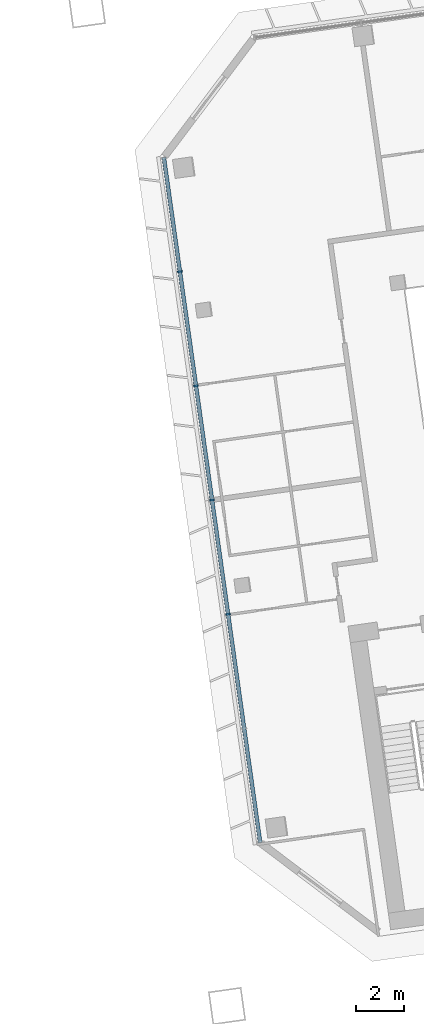
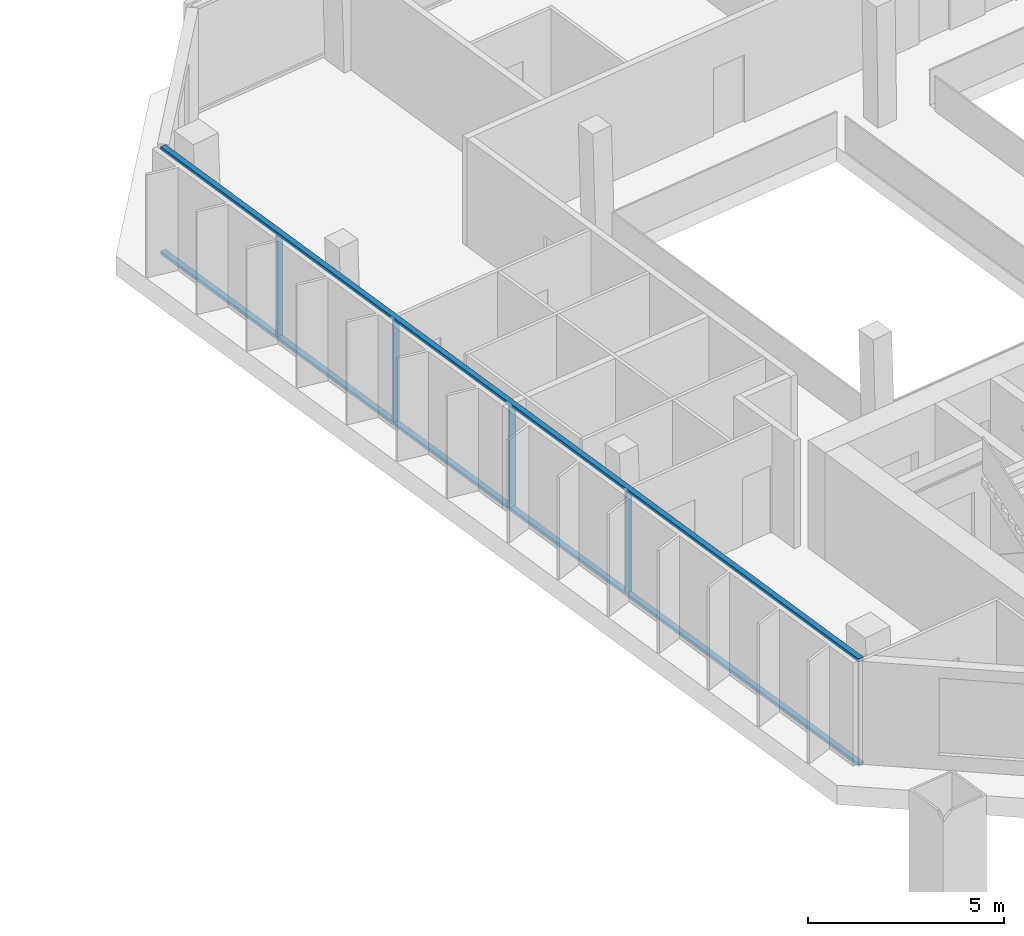
# One storey, part 7 of 26: 6 members, 1 element without a shape of its own.
"""IFC4 building model written with IfcOpenShell, lengths in metres."""

from ifc_helpers import new_model, si_unit, direction, frame, origin, origin_2d, place, context, subcontext, project, spatial, rectangle, extrude, material, material_profile, profile_set, type_object, element, aggregate, save


model = new_model("IFC4")

# Units and contexts
model_context = context("Model", 3, precision=1e-05, world=origin(), true_north=direction((0.0, 1.0)))
body_context = subcontext(model_context, "Body", "Model", "MODEL_VIEW")
ifc_project = project(units=[si_unit("LENGTHUNIT", "METRE"), si_unit("AREAUNIT", "SQUARE_METRE"), si_unit("VOLUMEUNIT", "CUBIC_METRE"), si_unit("PLANEANGLEUNIT", "RADIAN"), si_unit("MASSUNIT", "GRAM", prefix="KILO")], contexts=[model_context])

# Site, building, storey
site_placement = place(None, origin())
site = spatial("IfcSite", under=ifc_project, at=site_placement, CompositionType="ELEMENT")
building_placement = place(site_placement, origin())
building = spatial("IfcBuilding", under=site, at=building_placement, Name="Mirante Cascada Hotel Towers", CompositionType="ELEMENT")
storey_placement = place(building_placement, frame((0.0, 0.0, 168.8)))
storey = spatial("IfcBuildingStorey", under=building, at=storey_placement, Name="L39", CompositionType="ELEMENT", Elevation=168.8)

# Curtain wall, members
ifc_material_1 = material(Name="Aluminium mullion and transom frame with clear laminated glass", Category="aluminium")
curtain_wall_type = type_object("IfcCurtainWallType", Name="End ribbon curtain wall ECW2", PredefinedType="NOTDEFINED", material=ifc_material_1)
curtain_wall_placement = place(storey_placement, origin())
curtain_wall = element("IfcCurtainWall", 1, at=curtain_wall_placement, inside=storey, type_object=curtain_wall_type, Name="Inner end wall T2 L39", PredefinedType="NOTDEFINED")
ifc_material_2 = material(Name="Anodised aluminium extrusion", Category="aluminium")
ifc_material_profile_1 = material_profile(ifc_material_2, rectangle(XDim=0.2, YDim=0.065, at=origin_2d()), Name="ECW2 MULLION 65x200")
ifc_profile_set_1 = profile_set([ifc_material_profile_1], Name="Anodised aluminium extrusion")
member_type_1 = type_object("IfcMemberType", Name="ECW2 mullion 65x200", PredefinedType="MULLION", material=ifc_profile_set_1)
member_1_placement = place(storey_placement, frame((28.4746, 7.5055, 0.1), z_axis=(0.0, 0.0, 1.0), x_axis=(0.9902681, 0.1391731, 0.0)))
member_1 = element("IfcMember", 2, at=member_1_placement, type_object=member_type_1, Name="ECW2 mullion 2", PredefinedType="MULLION", context=body_context, shape_type="SweptSolid", body=[
    extrude(rectangle(XDim=0.2, YDim=0.065, at=origin_2d()), origin(), (0.0, 0.0, 1.0), 3.15),
])
member_2_placement = place(storey_placement, frame((29.1444, 2.7397, 0.1), z_axis=(0.0, 0.0, 1.0), x_axis=(0.9902681, 0.1391731, 0.0)))
member_2 = element("IfcMember", 3, at=member_2_placement, type_object=member_type_1, Name="ECW2 mullion 3", PredefinedType="MULLION", context=body_context, shape_type="SweptSolid", body=[
    extrude(rectangle(XDim=0.2, YDim=0.065, at=origin_2d()), origin(), (0.0, 0.0, 1.0), 3.15),
])
member_3_placement = place(storey_placement, frame((29.8142, -2.0261, 0.1), z_axis=(0.0, 0.0, 1.0), x_axis=(0.9902681, 0.1391731, 0.0)))
member_3 = element("IfcMember", 4, at=member_3_placement, type_object=member_type_1, Name="ECW2 mullion 4", PredefinedType="MULLION", context=body_context, shape_type="SweptSolid", body=[
    extrude(rectangle(XDim=0.2, YDim=0.065, at=origin_2d()), origin(), (0.0, 0.0, 1.0), 3.15),
])
member_4_placement = place(storey_placement, frame((30.4839, -6.7919, 0.1), z_axis=(0.0, 0.0, 1.0), x_axis=(0.9902681, 0.1391731, 0.0)))
member_4 = element("IfcMember", 5, at=member_4_placement, type_object=member_type_1, Name="ECW2 mullion 5", PredefinedType="MULLION", context=body_context, shape_type="SweptSolid", body=[
    extrude(rectangle(XDim=0.2, YDim=0.065, at=origin_2d()), origin(), (0.0, 0.0, 1.0), 3.15),
])
ifc_material_3 = material(Name="Anodised aluminium extrusion", Category="aluminium")
ifc_material_profile_2 = material_profile(ifc_material_3, rectangle(XDim=0.16, YDim=0.1, at=origin_2d()), Name="ECW2 TRANSOM 100x160")
ifc_profile_set_2 = profile_set([ifc_material_profile_2], Name="Anodised aluminium extrusion")
member_type_2 = type_object("IfcMemberType", Name="ECW2 transom 100x160", PredefinedType="USERDEFINED", material=ifc_profile_set_2)
member_5_placement = place(storey_placement, frame((27.8048, 12.2712, 0.05), z_axis=(0.1391723, -0.9902682, 0.0), x_axis=(0.9902682, 0.1391723, 0.0)))
member_5 = element("IfcMember", 6, at=member_5_placement, type_object=member_type_2, Name="ECW2 sill transom", ObjectType="TRANSOM", PredefinedType="USERDEFINED", context=body_context, shape_type="SweptSolid", body=[
    extrude(rectangle(XDim=0.16, YDim=0.1, at=origin_2d()), origin(), (0.0, 0.0, 1.0), 28.8757),
])
member_6_placement = place(storey_placement, frame((27.8048, 12.2712, 3.3), z_axis=(0.1391723, -0.9902682, 0.0), x_axis=(0.9902682, 0.1391723, 0.0)))
member_6 = element("IfcMember", 7, at=member_6_placement, type_object=member_type_2, Name="ECW2 head transom", ObjectType="TRANSOM", PredefinedType="USERDEFINED", context=body_context, shape_type="SweptSolid", body=[
    extrude(rectangle(XDim=0.16, YDim=0.1, at=origin_2d()), origin(), (0.0, 0.0, 1.0), 28.8757),
])
aggregate(curtain_wall, [member_5, member_6, member_1, member_2, member_3, member_4])

save(model, "model.ifc")
